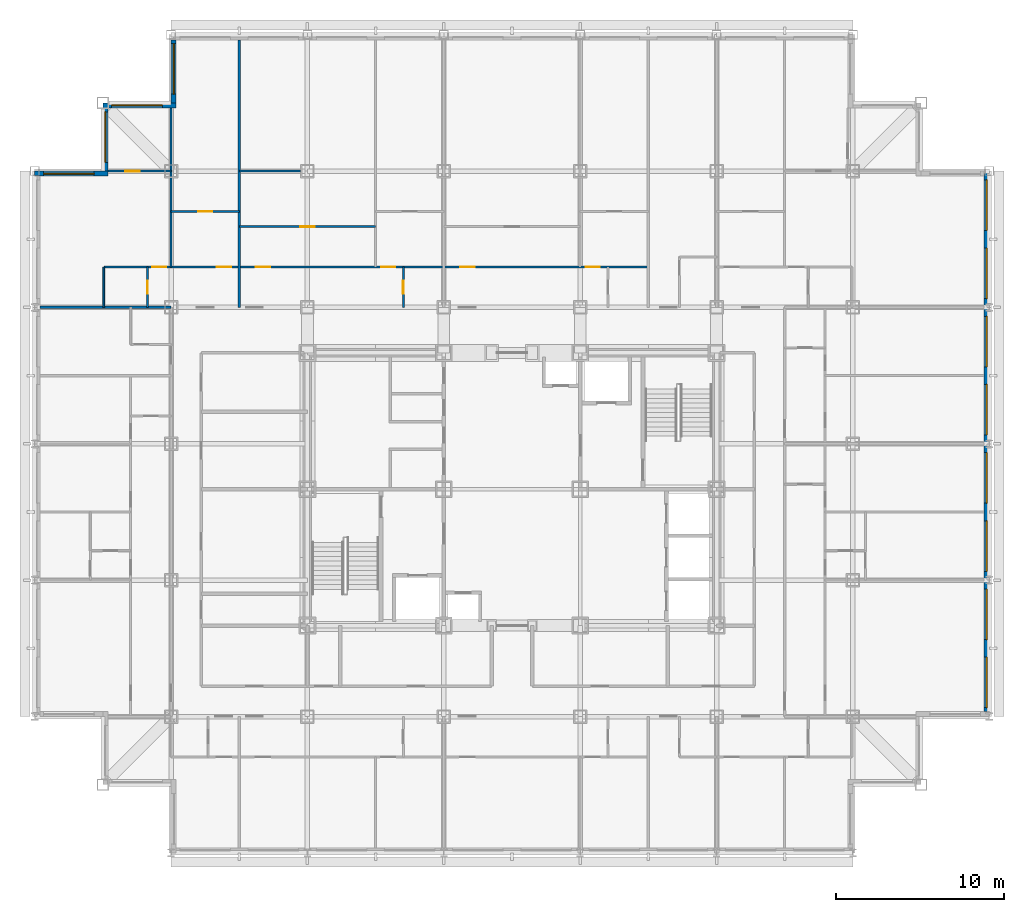
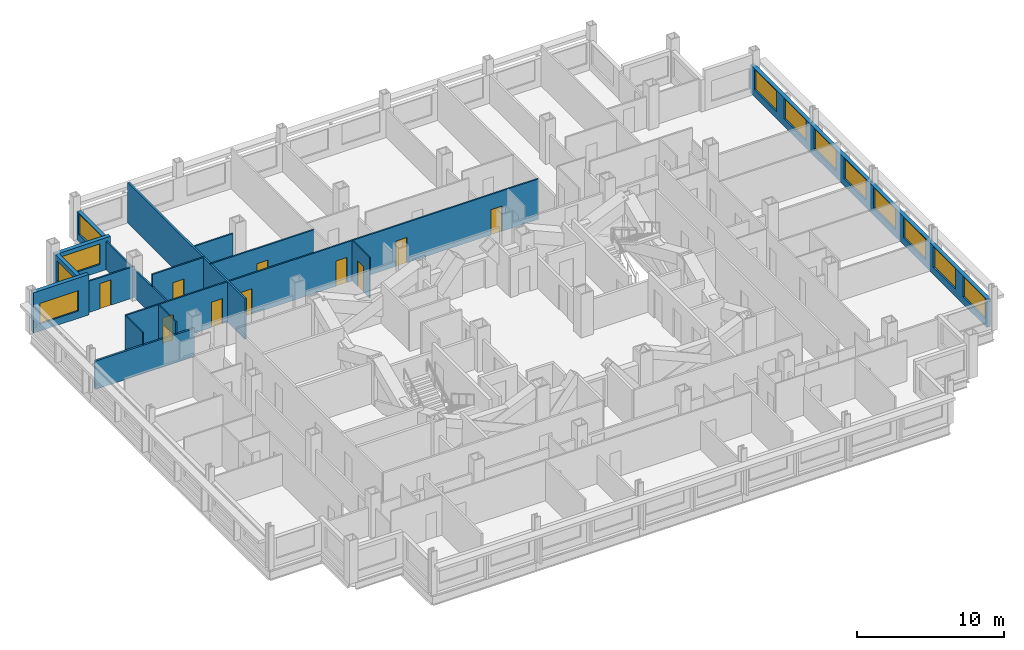
# One storey, part 9 of 12: 16 walls, 12 windows, 11 doors, 23 openings.
"""IFC4 building model written with IfcOpenShell, lengths in metres."""

from ifc_helpers import new_model, si_unit, direction, frame, frame_2d, origin, place, context, subcontext, project, spatial, rectangle, extrude, material, layer, layer_set, type_object, element, fill, save


model = new_model("IFC4")

# Units and contexts
model_context = context("Model", 3, precision=1e-05, world=origin(), true_north=direction((0.0, 1.0)))
body_context = subcontext(model_context, "Body", "Model", "MODEL_VIEW")
ifc_project = project(units=[si_unit("LENGTHUNIT", "METRE"), si_unit("AREAUNIT", "SQUARE_METRE"), si_unit("VOLUMEUNIT", "CUBIC_METRE"), si_unit("PLANEANGLEUNIT", "RADIAN"), si_unit("MASSUNIT", "GRAM", prefix="KILO")], contexts=[model_context])

# Site, building, storey
site_placement = place(None, origin())
site = spatial("IfcSite", under=ifc_project, at=site_placement, CompositionType="ELEMENT")
building_placement = place(site_placement, origin())
building = spatial("IfcBuilding", under=site, at=building_placement, Name="Kopane Lantern Tower", CompositionType="ELEMENT")
storey_placement = place(building_placement, frame((0.0, 0.0, 231.60009765625)))
storey = spatial("IfcBuildingStorey", under=building, at=storey_placement, Name="L60", CompositionType="ELEMENT", Elevation=231.60009765625)

# Wall, openings, doors
ifc_material_1 = material(Name="Gypsum board on steel studs", Category="steel")
ifc_layer_1 = layer(ifc_material_1, 0.1201171875)
ifc_layer_set_1 = layer_set([ifc_layer_1], Name="APARTMENT INTERNAL WALL 120")
wall_type_1 = type_object("IfcWallType", Name="APARTMENT INTERNAL WALL 120", PredefinedType="PARTITIONING", material=ifc_layer_set_1)
wall_1_placement = place(storey_placement, frame((4.10009765625, 45.60009765625, 0.0), z_axis=(0.0, 0.0, 1.0), x_axis=(1.0, 0.0, 0.0)))
wall_1 = element("IfcWall", 1, at=wall_1_placement, inside=storey, type_object=wall_type_1, Name="Apartment Internal Wall 120 L60", PredefinedType="PARTITIONING", context=body_context, shape_type="SweptSolid", body=[
    extrude(rectangle(XDim=32.349853515625, YDim=0.1201171875, at=frame_2d((16.1748046875, 0.0))), origin(), (0.0, 0.0, 1.0), 3.349853515625),
])
opening_1_placement = place(wall_1_placement, frame((9.02490234375, 0.0, 0.0)))
opening_1 = element("IfcOpeningElement", 2, at=opening_1_placement, cuts=wall_1, Name="Opening L60-024", PredefinedType="OPENING", context=body_context, shape_type="SweptSolid", body=[
    extrude(rectangle(XDim=0.85009765625, YDim=2.10009765625, at=frame_2d((0.425048828125, 1.050048828125))), frame((0.0, 0.070068359375, 0.0), z_axis=(0.0, -1.0, 0.0), x_axis=(1.0, 0.0, 0.0)), (0.0, 0.0, 1.0), 0.14013671875),
])
opening_2_placement = place(wall_1_placement, frame((16.47509765625, 0.0, 0.0)))
opening_2 = element("IfcOpeningElement", 3, at=opening_2_placement, cuts=wall_1, Name="Opening L60-025", PredefinedType="OPENING", context=body_context, shape_type="SweptSolid", body=[
    extrude(rectangle(XDim=0.85009765625, YDim=2.10009765625, at=frame_2d((0.425048828125, 1.050048828125))), frame((0.0, 0.070068359375, 0.0), z_axis=(0.0, -1.0, 0.0), x_axis=(1.0, 0.0, 0.0)), (0.0, 0.0, 1.0), 0.14013671875),
])
opening_3_placement = place(wall_1_placement, frame((21.175048828125, 0.0, 0.0)))
opening_3 = element("IfcOpeningElement", 4, at=opening_3_placement, cuts=wall_1, Name="Opening L60-028", PredefinedType="OPENING", context=body_context, shape_type="SweptSolid", body=[
    extrude(rectangle(XDim=0.85009765625, YDim=2.10009765625, at=frame_2d((0.425048828125, 1.050048828125))), frame((0.0, 0.070068359375, 0.0), z_axis=(0.0, -1.0, 0.0), x_axis=(1.0, 0.0, 0.0)), (0.0, 0.0, 1.0), 0.14013671875),
])
opening_4_placement = place(wall_1_placement, frame((28.625, 0.0, 0.0)))
opening_4 = element("IfcOpeningElement", 5, at=opening_4_placement, cuts=wall_1, Name="Opening L60-029", PredefinedType="OPENING", context=body_context, shape_type="SweptSolid", body=[
    extrude(rectangle(XDim=0.85009765625, YDim=2.10009765625, at=frame_2d((0.425048828125, 1.050048828125))), frame((0.0, 0.070068359375, 0.0), z_axis=(0.0, -1.0, 0.0), x_axis=(1.0, 0.0, 0.0)), (0.0, 0.0, 1.0), 0.14013671875),
])
opening_5_placement = place(wall_1_placement, frame((6.72509765625, 0.0, 0.0)))
opening_5 = element("IfcOpeningElement", 6, at=opening_5_placement, cuts=wall_1, Name="Opening L60-064", PredefinedType="OPENING", context=body_context, shape_type="SweptSolid", body=[
    extrude(rectangle(XDim=0.85009765625, YDim=2.10009765625, at=frame_2d((0.425048828125, 1.050048828125))), frame((0.0, 0.070068359375, 0.0), z_axis=(0.0, -1.0, 0.0), x_axis=(1.0, 0.0, 0.0)), (0.0, 0.0, 1.0), 0.14013671875),
])
opening_6_placement = place(wall_1_placement, frame((2.875, 0.0, 0.0)))
opening_6 = element("IfcOpeningElement", 7, at=opening_6_placement, cuts=wall_1, Name="Opening L60-066", PredefinedType="OPENING", context=body_context, shape_type="SweptSolid", body=[
    extrude(rectangle(XDim=0.85009765625, YDim=2.10009765625, at=frame_2d((0.425048828125, 1.050048828125))), frame((0.0, 0.070068359375, 0.0), z_axis=(0.0, -1.0, 0.0), x_axis=(1.0, 0.0, 0.0)), (0.0, 0.0, 1.0), 0.14013671875),
])
ifc_material_2 = material(Name="Timber door set", Category="wood")
door_type_1 = type_object("IfcDoorType", Name="DOOR D4 850x2100", OperationType="SINGLE_SWING_LEFT", PredefinedType="DOOR", material=ifc_material_2)
door_1_placement = place(opening_1_placement, origin())
door_1 = element("IfcDoor", 8, at=door_1_placement, inside=storey, type_object=door_type_1, Name="Door L60-024", OperationType="SINGLE_SWING_LEFT", OverallHeight=2.10009765625, OverallWidth=0.85009765625, PredefinedType="DOOR", context=body_context, shape_type="SweptSolid", body=[
    extrude(rectangle(XDim=0.85009765625, YDim=2.10009765625, at=frame_2d((0.425048828125, 1.050048828125))), frame((0.0, 0.02490234375, 0.0), z_axis=(0.0, -1.0, 0.0), x_axis=(1.0, 0.0, 0.0)), (0.0, 0.0, 1.0), 0.050048828125),
])
fill(opening_1, door_1)
door_2_placement = place(opening_2_placement, origin())
door_2 = element("IfcDoor", 9, at=door_2_placement, inside=storey, type_object=door_type_1, Name="Door L60-025", OperationType="SINGLE_SWING_LEFT", OverallHeight=2.10009765625, OverallWidth=0.85009765625, PredefinedType="DOOR", context=body_context, shape_type="SweptSolid", body=[
    extrude(rectangle(XDim=0.85009765625, YDim=2.10009765625, at=frame_2d((0.425048828125, 1.050048828125))), frame((0.0, 0.02490234375, 0.0), z_axis=(0.0, -1.0, 0.0), x_axis=(1.0, 0.0, 0.0)), (0.0, 0.0, 1.0), 0.050048828125),
])
fill(opening_2, door_2)
door_3_placement = place(opening_3_placement, origin())
door_3 = element("IfcDoor", 10, at=door_3_placement, inside=storey, type_object=door_type_1, Name="Door L60-028", OperationType="SINGLE_SWING_LEFT", OverallHeight=2.10009765625, OverallWidth=0.85009765625, PredefinedType="DOOR", context=body_context, shape_type="SweptSolid", body=[
    extrude(rectangle(XDim=0.85009765625, YDim=2.10009765625, at=frame_2d((0.425048828125, 1.050048828125))), frame((0.0, 0.02490234375, 0.0), z_axis=(0.0, -1.0, 0.0), x_axis=(1.0, 0.0, 0.0)), (0.0, 0.0, 1.0), 0.050048828125),
])
fill(opening_3, door_3)
door_4_placement = place(opening_4_placement, origin())
door_4 = element("IfcDoor", 11, at=door_4_placement, inside=storey, type_object=door_type_1, Name="Door L60-029", OperationType="SINGLE_SWING_LEFT", OverallHeight=2.10009765625, OverallWidth=0.85009765625, PredefinedType="DOOR", context=body_context, shape_type="SweptSolid", body=[
    extrude(rectangle(XDim=0.85009765625, YDim=2.10009765625, at=frame_2d((0.425048828125, 1.050048828125))), frame((0.0, 0.02490234375, 0.0), z_axis=(0.0, -1.0, 0.0), x_axis=(1.0, 0.0, 0.0)), (0.0, 0.0, 1.0), 0.050048828125),
])
fill(opening_4, door_4)
door_5_placement = place(opening_5_placement, origin())
door_5 = element("IfcDoor", 12, at=door_5_placement, inside=storey, type_object=door_type_1, Name="Door L60-064", OperationType="SINGLE_SWING_LEFT", OverallHeight=2.10009765625, OverallWidth=0.85009765625, PredefinedType="DOOR", context=body_context, shape_type="SweptSolid", body=[
    extrude(rectangle(XDim=0.85009765625, YDim=2.10009765625, at=frame_2d((0.425048828125, 1.050048828125))), frame((0.0, 0.02490234375, 0.0), z_axis=(0.0, -1.0, 0.0), x_axis=(1.0, 0.0, 0.0)), (0.0, 0.0, 1.0), 0.050048828125),
])
fill(opening_5, door_5)
door_6_placement = place(opening_6_placement, origin())
door_6 = element("IfcDoor", 13, at=door_6_placement, inside=storey, type_object=door_type_1, Name="Door L60-066", OperationType="SINGLE_SWING_RIGHT", OverallHeight=2.10009765625, OverallWidth=0.85009765625, PredefinedType="DOOR", context=body_context, shape_type="SweptSolid", body=[
    extrude(rectangle(XDim=0.85009765625, YDim=2.10009765625, at=frame_2d((0.425048828125, 1.050048828125))), frame((0.0, 0.02490234375, 0.0), z_axis=(0.0, -1.0, 0.0), x_axis=(1.0, 0.0, 0.0)), (0.0, 0.0, 1.0), 0.050048828125),
])
fill(opening_6, door_6)

# Wall
wall_2_placement = place(storey_placement, frame((8.10009765625, 45.60009765625, 0.0), z_axis=(0.0, 0.0, 1.0), x_axis=(0.0, 1.0, 0.0)))
element("IfcWall", 14, at=wall_2_placement, inside=storey, type_object=wall_type_1, Name="Apartment Internal Wall 120 L60", PredefinedType="PARTITIONING", context=body_context, shape_type="SweptSolid", body=[
    extrude(rectangle(XDim=9.449951171875, YDim=0.1201171875, at=frame_2d((4.72509765625, 0.0))), origin(), (0.0, 0.0, 1.0), 2.349853515625),
])

# Wall, opening, door
wall_3_placement = place(storey_placement, frame((8.10009765625, 51.300048828125, 0.0), z_axis=(0.0, 0.0, 1.0), x_axis=(-1.0, 0.0, 0.0)))
wall_3 = element("IfcWall", 15, at=wall_3_placement, inside=storey, type_object=wall_type_1, Name="Apartment Internal Wall 120 L60", PredefinedType="PARTITIONING", context=body_context, shape_type="SweptSolid", body=[
    extrude(rectangle(XDim=3.75, YDim=0.1201171875, at=frame_2d((1.875, 0.0))), origin(), (0.0, 0.0, 1.0), 2.587646484375),
])
opening_7_placement = place(wall_3_placement, frame((1.875, 0.0, 0.0)))
opening_7 = element("IfcOpeningElement", 16, at=opening_7_placement, cuts=wall_3, Name="Opening L60-067", PredefinedType="OPENING", context=body_context, shape_type="SweptSolid", body=[
    extrude(rectangle(XDim=0.85009765625, YDim=2.10009765625, at=frame_2d((0.425048828125, 1.050048828125))), frame((0.0, 0.070068359375, 0.0), z_axis=(0.0, -1.0, 0.0), x_axis=(1.0, 0.0, 0.0)), (0.0, 0.0, 1.0), 0.14013671875),
])
door_7_placement = place(opening_7_placement, origin())
door_7 = element("IfcDoor", 17, at=door_7_placement, inside=storey, type_object=door_type_1, Name="Door L60-067", OperationType="SINGLE_SWING_LEFT", OverallHeight=2.10009765625, OverallWidth=0.85009765625, PredefinedType="DOOR", context=body_context, shape_type="SweptSolid", body=[
    extrude(rectangle(XDim=0.85009765625, YDim=2.10009765625, at=frame_2d((0.425048828125, 1.050048828125))), frame((0.0, 0.02490234375, 0.0), z_axis=(0.0, -1.0, 0.0), x_axis=(1.0, 0.0, 0.0)), (0.0, 0.0, 1.0), 0.050048828125),
])
fill(opening_7, door_7)

wall_4_placement = place(storey_placement, frame((12.14990234375, 48.0, 0.0), z_axis=(0.0, 0.0, 1.0), x_axis=(1.0, 0.0, 0.0)))
wall_4 = element("IfcWall", 18, at=wall_4_placement, inside=storey, type_object=wall_type_1, Name="Apartment Internal Wall 120 L60", PredefinedType="PARTITIONING", context=body_context, shape_type="SweptSolid", body=[
    extrude(rectangle(XDim=8.10009765625, YDim=0.1201171875, at=frame_2d((4.050048828125, 0.0))), origin(), (0.0, 0.0, 1.0), 3.349853515625),
])
opening_8_placement = place(wall_4_placement, frame((3.625, 0.0, 0.0)))
opening_8 = element("IfcOpeningElement", 19, at=opening_8_placement, cuts=wall_4, Name="Opening L60-071", PredefinedType="OPENING", context=body_context, shape_type="SweptSolid", body=[
    extrude(rectangle(XDim=0.85009765625, YDim=2.10009765625, at=frame_2d((0.425048828125, 1.050048828125))), frame((0.0, 0.070068359375, 0.0), z_axis=(0.0, -1.0, 0.0), x_axis=(1.0, 0.0, 0.0)), (0.0, 0.0, 1.0), 0.14013671875),
])
door_8_placement = place(opening_8_placement, origin())
door_8 = element("IfcDoor", 20, at=door_8_placement, inside=storey, type_object=door_type_1, Name="Door L60-071", OperationType="SINGLE_SWING_RIGHT", OverallHeight=2.10009765625, OverallWidth=0.85009765625, PredefinedType="DOOR", context=body_context, shape_type="SweptSolid", body=[
    extrude(rectangle(XDim=0.85009765625, YDim=2.10009765625, at=frame_2d((0.425048828125, 1.050048828125))), frame((0.0, 0.02490234375, 0.0), z_axis=(0.0, -1.0, 0.0), x_axis=(1.0, 0.0, 0.0)), (0.0, 0.0, 1.0), 0.050048828125),
])
fill(opening_8, door_8)

wall_5_placement = place(storey_placement, frame((8.10009765625, 48.89990234375, 0.0), z_axis=(0.0, 0.0, 1.0), x_axis=(1.0, 0.0, 0.0)))
wall_5 = element("IfcWall", 21, at=wall_5_placement, inside=storey, type_object=wall_type_1, Name="Apartment Internal Wall 120 L60", PredefinedType="PARTITIONING", context=body_context, shape_type="SweptSolid", body=[
    extrude(rectangle(XDim=4.0498046875, YDim=0.1201171875, at=frame_2d((2.02490234375, 0.0))), origin(), (0.0, 0.0, 1.0), 3.349853515625),
])
opening_9_placement = place(wall_5_placement, frame((1.60009765625, 0.0, 0.0)))
opening_9 = element("IfcOpeningElement", 22, at=opening_9_placement, cuts=wall_5, Name="Opening L60-076", PredefinedType="OPENING", context=body_context, shape_type="SweptSolid", body=[
    extrude(rectangle(XDim=0.85009765625, YDim=2.10009765625, at=frame_2d((0.425048828125, 1.050048828125))), frame((0.0, 0.070068359375, 0.0), z_axis=(0.0, -1.0, 0.0), x_axis=(1.0, 0.0, 0.0)), (0.0, 0.0, 1.0), 0.14013671875),
])
door_9_placement = place(opening_9_placement, origin())
door_9 = element("IfcDoor", 23, at=door_9_placement, inside=storey, type_object=door_type_1, Name="Door L60-076", OperationType="SINGLE_SWING_RIGHT", OverallHeight=2.10009765625, OverallWidth=0.85009765625, PredefinedType="DOOR", context=body_context, shape_type="SweptSolid", body=[
    extrude(rectangle(XDim=0.85009765625, YDim=2.10009765625, at=frame_2d((0.425048828125, 1.050048828125))), frame((0.0, 0.02490234375, 0.0), z_axis=(0.0, -1.0, 0.0), x_axis=(1.0, 0.0, 0.0)), (0.0, 0.0, 1.0), 0.050048828125),
])
fill(opening_9, door_9)

# Wall
wall_6_placement = place(storey_placement, frame((12.14990234375, 51.300048828125, 0.0), z_axis=(0.0, 0.0, 1.0), x_axis=(1.0, 0.0, 0.0)))
element("IfcWall", 24, at=wall_6_placement, inside=storey, type_object=wall_type_1, Name="Apartment Internal Wall 120 L60", PredefinedType="PARTITIONING", context=body_context, shape_type="SweptSolid", body=[
    extrude(rectangle(XDim=3.650146484375, YDim=0.1201171875, at=frame_2d((1.8251953125, 0.0))), origin(), (0.0, 0.0, 1.0), 2.587646484375),
])

# Wall, opening, door
ifc_material_3 = material(Name="Moisture-resistant board on steel studs", Category="steel")
ifc_layer_2 = layer(ifc_material_3, 0.10009765625)
ifc_layer_set_2 = layer_set([ifc_layer_2], Name="BATHROOM WALL 100")
wall_type_2 = type_object("IfcWallType", Name="BATHROOM WALL 100", PredefinedType="PARTITIONING", material=ifc_layer_set_2)
wall_7_placement = place(storey_placement, frame((21.89990234375, 43.199951171875, 0.0), z_axis=(0.0, 0.0, 1.0), x_axis=(0.0, 1.0, 0.0)))
wall_7 = element("IfcWall", 25, at=wall_7_placement, inside=storey, type_object=wall_type_2, Name="Bathroom Wall 100 L60", PredefinedType="PARTITIONING", context=body_context, shape_type="SweptSolid", body=[
    extrude(rectangle(XDim=2.400146484375, YDim=0.10009765625, at=frame_2d((1.2001953125, 0.0))), origin(), (0.0, 0.0, 1.0), 3.349853515625),
])
opening_10_placement = place(wall_7_placement, frame((0.800048828125, 0.0, 0.0)))
opening_10 = element("IfcOpeningElement", 26, at=opening_10_placement, cuts=wall_7, Name="Opening L60-022", PredefinedType="OPENING", context=body_context, shape_type="SweptSolid", body=[
    extrude(rectangle(XDim=0.800048828125, YDim=2.10009765625, at=frame_2d((0.39990234375, 1.050048828125))), frame((0.0, 0.06005859375, 0.0), z_axis=(0.0, -1.0, 0.0), x_axis=(1.0, 0.0, 0.0)), (0.0, 0.0, 1.0), 0.1201171875),
])
ifc_material_4 = material(Name="Timber door set", Category="wood")
door_type_2 = type_object("IfcDoorType", Name="DOOR D2 800x2100", OperationType="SINGLE_SWING_LEFT", PredefinedType="DOOR", material=ifc_material_4)
door_10_placement = place(opening_10_placement, origin())
door_10 = element("IfcDoor", 27, at=door_10_placement, inside=storey, type_object=door_type_2, Name="Door L60-022", OperationType="SINGLE_SWING_RIGHT", OverallHeight=2.10009765625, OverallWidth=0.800048828125, PredefinedType="DOOR", context=body_context, shape_type="SweptSolid", body=[
    extrude(rectangle(XDim=0.800048828125, YDim=2.10009765625, at=frame_2d((0.39990234375, 1.050048828125))), frame((0.0, 0.02490234375, 0.0), z_axis=(0.0, -1.0, 0.0), x_axis=(1.0, 0.0, 0.0)), (0.0, 0.0, 1.0), 0.050048828125),
])
fill(opening_10, door_10)

wall_8_placement = place(storey_placement, frame((6.699951171875, 43.199951171875, 0.0), z_axis=(0.0, 0.0, 1.0), x_axis=(0.0, 1.0, 0.0)))
wall_8 = element("IfcWall", 28, at=wall_8_placement, inside=storey, type_object=wall_type_2, Name="Bathroom Wall 100 L60", PredefinedType="PARTITIONING", context=body_context, shape_type="SweptSolid", body=[
    extrude(rectangle(XDim=2.400146484375, YDim=0.10009765625, at=frame_2d((1.2001953125, 0.0))), origin(), (0.0, 0.0, 1.0), 3.349853515625),
])
opening_11_placement = place(wall_8_placement, frame((0.800048828125, 0.0, 0.0)))
opening_11 = element("IfcOpeningElement", 29, at=opening_11_placement, cuts=wall_8, Name="Opening L60-065", PredefinedType="OPENING", context=body_context, shape_type="SweptSolid", body=[
    extrude(rectangle(XDim=0.800048828125, YDim=2.10009765625, at=frame_2d((0.39990234375, 1.050048828125))), frame((0.0, 0.06005859375, 0.0), z_axis=(0.0, -1.0, 0.0), x_axis=(1.0, 0.0, 0.0)), (0.0, 0.0, 1.0), 0.1201171875),
])
door_11_placement = place(opening_11_placement, origin())
door_11 = element("IfcDoor", 30, at=door_11_placement, inside=storey, type_object=door_type_2, Name="Door L60-065", OperationType="SINGLE_SWING_LEFT", OverallHeight=2.10009765625, OverallWidth=0.800048828125, PredefinedType="DOOR", context=body_context, shape_type="SweptSolid", body=[
    extrude(rectangle(XDim=0.800048828125, YDim=2.10009765625, at=frame_2d((0.39990234375, 1.050048828125))), frame((0.0, 0.02490234375, 0.0), z_axis=(0.0, -1.0, 0.0), x_axis=(1.0, 0.0, 0.0)), (0.0, 0.0, 1.0), 0.050048828125),
])
fill(opening_11, door_11)

# Walls
wall_9_placement = place(storey_placement, frame((4.10009765625, 43.199951171875, 0.0), z_axis=(0.0, 0.0, 1.0), x_axis=(0.0, 1.0, 0.0)))
element("IfcWall", 31, at=wall_9_placement, inside=storey, type_object=wall_type_2, Name="Bathroom Wall 100 L60", PredefinedType="PARTITIONING", context=body_context, shape_type="SweptSolid", body=[
    extrude(rectangle(XDim=2.400146484375, YDim=0.10009765625, at=frame_2d((1.2001953125, 0.0))), origin(), (0.0, 0.0, 1.0), 3.349853515625),
])
ifc_material_5 = material(Name="Gypsum board on steel studs", Category="steel")
ifc_layer_3 = layer(ifc_material_5, 0.14990234375)
ifc_layer_set_3 = layer_set([ifc_layer_3], Name="DEMISING WALL 150 EI 60")
wall_type_3 = type_object("IfcWallType", Name="DEMISING WALL 150 EI 60", PredefinedType="PARTITIONING", material=ifc_layer_set_3)
wall_10_placement = place(storey_placement, frame((0.300048828125, 43.199951171875, 0.0), z_axis=(0.0, 0.0, 1.0), x_axis=(1.0, 0.0, 0.0)))
element("IfcWall", 32, at=wall_10_placement, inside=storey, type_object=wall_type_3, Name="Demising Wall 150 Ei 60 L60", PredefinedType="PARTITIONING", context=body_context, shape_type="SweptSolid", body=[
    extrude(rectangle(XDim=7.800048828125, YDim=0.14990234375, at=frame_2d((3.89990234375, 0.0))), origin(), (0.0, 0.0, 1.0), 2.349853515625),
])
wall_11_placement = place(storey_placement, frame((12.14990234375, 43.199951171875, 0.0), z_axis=(0.0, 0.0, 1.0), x_axis=(0.0, 1.0, 0.0)))
element("IfcWall", 33, at=wall_11_placement, inside=storey, type_object=wall_type_3, Name="Demising Wall 150 Ei 60 L60", PredefinedType="PARTITIONING", context=body_context, shape_type="SweptSolid", body=[
    extrude(rectangle(XDim=15.900146484375, YDim=0.14990234375, at=frame_2d((7.9501953125, 0.0))), origin(), (0.0, 0.0, 1.0), 3.349853515625),
])

# Wall, openings, windows
ifc_material_6 = material(Name="Terracotta rainscreen on light steel framing", Category="masonry")
ifc_layer_4 = layer(ifc_material_6, 0.300048828125)
ifc_layer_set_4 = layer_set([ifc_layer_4], Name="EXTERNAL WALL EW1 300 TERRACOTTA")
wall_type_4 = type_object("IfcWallType", Name="EXTERNAL WALL EW1 300 TERRACOTTA", PredefinedType="SOLIDWALL", material=ifc_layer_set_4)
wall_12_placement = place(storey_placement, frame((56.550048828125, 19.199951171875, 0.0), z_axis=(0.0, 0.0, 1.0), x_axis=(0.0, 1.0, 0.0)))
wall_12 = element("IfcWall", 34, at=wall_12_placement, inside=storey, type_object=wall_type_4, Name="External wall E L60", PredefinedType="SOLIDWALL", context=body_context, shape_type="SweptSolid", body=[
    extrude(rectangle(XDim=32.10009765625, YDim=0.300048828125, at=frame_2d((16.050048828125, 0.0))), origin(), (0.0, 0.0, 1.0), 2.349853515625),
])
opening_12_placement = place(wall_12_placement, frame((0.22509765625, 0.0, 0.60009765625)))
opening_12 = element("IfcOpeningElement", 35, at=opening_12_placement, cuts=wall_12, Name="Opening WR300170", PredefinedType="OPENING", context=body_context, shape_type="SweptSolid", body=[
    extrude(rectangle(XDim=3.0, YDim=1.699951171875, at=frame_2d((1.5, 0.85009765625))), frame((0.0, 0.159912109375, 0.0), z_axis=(0.0, -1.0, 0.0), x_axis=(1.0, 0.0, 0.0)), (0.0, 0.0, 1.0), 0.320068359375),
])
opening_13_placement = place(wall_12_placement, frame((4.27490234375, 0.0, 0.60009765625)))
opening_13 = element("IfcOpeningElement", 36, at=opening_13_placement, cuts=wall_12, Name="Opening WR300170", PredefinedType="OPENING", context=body_context, shape_type="SweptSolid", body=[
    extrude(rectangle(XDim=3.0, YDim=1.699951171875, at=frame_2d((1.5, 0.85009765625))), frame((0.0, 0.159912109375, 0.0), z_axis=(0.0, -1.0, 0.0), x_axis=(1.0, 0.0, 0.0)), (0.0, 0.0, 1.0), 0.320068359375),
])
opening_14_placement = place(wall_12_placement, frame((8.324951171875, 0.0, 0.60009765625)))
opening_14 = element("IfcOpeningElement", 37, at=opening_14_placement, cuts=wall_12, Name="Opening WR300170", PredefinedType="OPENING", context=body_context, shape_type="SweptSolid", body=[
    extrude(rectangle(XDim=3.0, YDim=1.699951171875, at=frame_2d((1.5, 0.85009765625))), frame((0.0, 0.159912109375, 0.0), z_axis=(0.0, -1.0, 0.0), x_axis=(1.0, 0.0, 0.0)), (0.0, 0.0, 1.0), 0.320068359375),
])
opening_15_placement = place(wall_12_placement, frame((12.375, 0.0, 0.60009765625)))
opening_15 = element("IfcOpeningElement", 38, at=opening_15_placement, cuts=wall_12, Name="Opening WR300170", PredefinedType="OPENING", context=body_context, shape_type="SweptSolid", body=[
    extrude(rectangle(XDim=3.0, YDim=1.699951171875, at=frame_2d((1.5, 0.85009765625))), frame((0.0, 0.159912109375, 0.0), z_axis=(0.0, -1.0, 0.0), x_axis=(1.0, 0.0, 0.0)), (0.0, 0.0, 1.0), 0.320068359375),
])
opening_16_placement = place(wall_12_placement, frame((16.425048828125, 0.0, 0.60009765625)))
opening_16 = element("IfcOpeningElement", 39, at=opening_16_placement, cuts=wall_12, Name="Opening WR300170", PredefinedType="OPENING", context=body_context, shape_type="SweptSolid", body=[
    extrude(rectangle(XDim=3.0, YDim=1.699951171875, at=frame_2d((1.5, 0.85009765625))), frame((0.0, 0.159912109375, 0.0), z_axis=(0.0, -1.0, 0.0), x_axis=(1.0, 0.0, 0.0)), (0.0, 0.0, 1.0), 0.320068359375),
])
opening_17_placement = place(wall_12_placement, frame((20.47509765625, 0.0, 0.60009765625)))
opening_17 = element("IfcOpeningElement", 40, at=opening_17_placement, cuts=wall_12, Name="Opening WR300170", PredefinedType="OPENING", context=body_context, shape_type="SweptSolid", body=[
    extrude(rectangle(XDim=3.0, YDim=1.699951171875, at=frame_2d((1.5, 0.85009765625))), frame((0.0, 0.159912109375, 0.0), z_axis=(0.0, -1.0, 0.0), x_axis=(1.0, 0.0, 0.0)), (0.0, 0.0, 1.0), 0.320068359375),
])
opening_18_placement = place(wall_12_placement, frame((24.52490234375, 0.0, 0.60009765625)))
opening_18 = element("IfcOpeningElement", 41, at=opening_18_placement, cuts=wall_12, Name="Opening WR300170", PredefinedType="OPENING", context=body_context, shape_type="SweptSolid", body=[
    extrude(rectangle(XDim=3.0, YDim=1.699951171875, at=frame_2d((1.5, 0.85009765625))), frame((0.0, 0.159912109375, 0.0), z_axis=(0.0, -1.0, 0.0), x_axis=(1.0, 0.0, 0.0)), (0.0, 0.0, 1.0), 0.320068359375),
])
opening_19_placement = place(wall_12_placement, frame((28.574951171875, 0.0, 0.60009765625)))
opening_19 = element("IfcOpeningElement", 42, at=opening_19_placement, cuts=wall_12, Name="Opening WR300170", PredefinedType="OPENING", context=body_context, shape_type="SweptSolid", body=[
    extrude(rectangle(XDim=3.0, YDim=1.699951171875, at=frame_2d((1.5, 0.85009765625))), frame((0.0, 0.159912109375, 0.0), z_axis=(0.0, -1.0, 0.0), x_axis=(1.0, 0.0, 0.0)), (0.0, 0.0, 1.0), 0.320068359375),
])
ifc_material_7 = material(Name="Aluminium and clear glass", Category="aluminium")
window_type = type_object("IfcWindowType", Name="RIBBON WINDOW WR300170 3000x1700", PartitioningType="SINGLE_PANEL", PredefinedType="WINDOW", material=ifc_material_7)
window_1_placement = place(opening_12_placement, origin())
window_1 = element("IfcWindow", 43, at=window_1_placement, inside=storey, type_object=window_type, Name="Window E L60", OverallHeight=1.699951171875, OverallWidth=3.0, PartitioningType="SINGLE_PANEL", PredefinedType="WINDOW", context=body_context, shape_type="SweptSolid", body=[
    extrude(rectangle(XDim=3.0, YDim=1.699951171875, at=frame_2d((1.5, 0.85009765625))), frame((0.0, 0.030029296875, 0.0), z_axis=(0.0, -1.0, 0.0), x_axis=(1.0, 0.0, 0.0)), (0.0, 0.0, 1.0), 0.06005859375),
])
fill(opening_12, window_1)
window_2_placement = place(opening_13_placement, origin())
window_2 = element("IfcWindow", 44, at=window_2_placement, inside=storey, type_object=window_type, Name="Window E L60", OverallHeight=1.699951171875, OverallWidth=3.0, PartitioningType="SINGLE_PANEL", PredefinedType="WINDOW", context=body_context, shape_type="SweptSolid", body=[
    extrude(rectangle(XDim=3.0, YDim=1.699951171875, at=frame_2d((1.5, 0.85009765625))), frame((0.0, 0.030029296875, 0.0), z_axis=(0.0, -1.0, 0.0), x_axis=(1.0, 0.0, 0.0)), (0.0, 0.0, 1.0), 0.06005859375),
])
fill(opening_13, window_2)
window_3_placement = place(opening_14_placement, origin())
window_3 = element("IfcWindow", 45, at=window_3_placement, inside=storey, type_object=window_type, Name="Window E L60", OverallHeight=1.699951171875, OverallWidth=3.0, PartitioningType="SINGLE_PANEL", PredefinedType="WINDOW", context=body_context, shape_type="SweptSolid", body=[
    extrude(rectangle(XDim=3.0, YDim=1.699951171875, at=frame_2d((1.5, 0.85009765625))), frame((0.0, 0.030029296875, 0.0), z_axis=(0.0, -1.0, 0.0), x_axis=(1.0, 0.0, 0.0)), (0.0, 0.0, 1.0), 0.06005859375),
])
fill(opening_14, window_3)
window_4_placement = place(opening_15_placement, origin())
window_4 = element("IfcWindow", 46, at=window_4_placement, inside=storey, type_object=window_type, Name="Window E L60", OverallHeight=1.699951171875, OverallWidth=3.0, PartitioningType="SINGLE_PANEL", PredefinedType="WINDOW", context=body_context, shape_type="SweptSolid", body=[
    extrude(rectangle(XDim=3.0, YDim=1.699951171875, at=frame_2d((1.5, 0.85009765625))), frame((0.0, 0.030029296875, 0.0), z_axis=(0.0, -1.0, 0.0), x_axis=(1.0, 0.0, 0.0)), (0.0, 0.0, 1.0), 0.06005859375),
])
fill(opening_15, window_4)
window_5_placement = place(opening_16_placement, origin())
window_5 = element("IfcWindow", 47, at=window_5_placement, inside=storey, type_object=window_type, Name="Window E L60", OverallHeight=1.699951171875, OverallWidth=3.0, PartitioningType="SINGLE_PANEL", PredefinedType="WINDOW", context=body_context, shape_type="SweptSolid", body=[
    extrude(rectangle(XDim=3.0, YDim=1.699951171875, at=frame_2d((1.5, 0.85009765625))), frame((0.0, 0.030029296875, 0.0), z_axis=(0.0, -1.0, 0.0), x_axis=(1.0, 0.0, 0.0)), (0.0, 0.0, 1.0), 0.06005859375),
])
fill(opening_16, window_5)
window_6_placement = place(opening_17_placement, origin())
window_6 = element("IfcWindow", 48, at=window_6_placement, inside=storey, type_object=window_type, Name="Window E L60", OverallHeight=1.699951171875, OverallWidth=3.0, PartitioningType="SINGLE_PANEL", PredefinedType="WINDOW", context=body_context, shape_type="SweptSolid", body=[
    extrude(rectangle(XDim=3.0, YDim=1.699951171875, at=frame_2d((1.5, 0.85009765625))), frame((0.0, 0.030029296875, 0.0), z_axis=(0.0, -1.0, 0.0), x_axis=(1.0, 0.0, 0.0)), (0.0, 0.0, 1.0), 0.06005859375),
])
fill(opening_17, window_6)
window_7_placement = place(opening_18_placement, origin())
window_7 = element("IfcWindow", 49, at=window_7_placement, inside=storey, type_object=window_type, Name="Window E L60", OverallHeight=1.699951171875, OverallWidth=3.0, PartitioningType="SINGLE_PANEL", PredefinedType="WINDOW", context=body_context, shape_type="SweptSolid", body=[
    extrude(rectangle(XDim=3.0, YDim=1.699951171875, at=frame_2d((1.5, 0.85009765625))), frame((0.0, 0.030029296875, 0.0), z_axis=(0.0, -1.0, 0.0), x_axis=(1.0, 0.0, 0.0)), (0.0, 0.0, 1.0), 0.06005859375),
])
fill(opening_18, window_7)
window_8_placement = place(opening_19_placement, origin())
window_8 = element("IfcWindow", 50, at=window_8_placement, inside=storey, type_object=window_type, Name="Window E L60", OverallHeight=1.699951171875, OverallWidth=3.0, PartitioningType="SINGLE_PANEL", PredefinedType="WINDOW", context=body_context, shape_type="SweptSolid", body=[
    extrude(rectangle(XDim=3.0, YDim=1.699951171875, at=frame_2d((1.5, 0.85009765625))), frame((0.0, 0.030029296875, 0.0), z_axis=(0.0, -1.0, 0.0), x_axis=(1.0, 0.0, 0.0)), (0.0, 0.0, 1.0), 0.06005859375),
])
fill(opening_19, window_8)

# Wall, opening, window
wall_13_placement = place(storey_placement, frame((8.25, 59.10009765625, 0.0), z_axis=(0.0, 0.0, 1.0), x_axis=(0.0, -1.0, 0.0)))
wall_13 = element("IfcWall", 51, at=wall_13_placement, inside=storey, type_object=wall_type_4, Name="External wall W L60", PredefinedType="SOLIDWALL", context=body_context, shape_type="SweptSolid", body=[
    extrude(rectangle(XDim=3.75, YDim=0.300048828125, at=frame_2d((1.875, 0.0))), origin(), (0.0, 0.0, 1.0), 2.349853515625),
])
opening_20_placement = place(wall_13_placement, frame((0.22509765625, 0.0, 0.60009765625)))
opening_20 = element("IfcOpeningElement", 52, at=opening_20_placement, cuts=wall_13, Name="Opening WR300170", PredefinedType="OPENING", context=body_context, shape_type="SweptSolid", body=[
    extrude(rectangle(XDim=3.0, YDim=1.699951171875, at=frame_2d((1.5, 0.85009765625))), frame((0.0, 0.159912109375, 0.0), z_axis=(0.0, -1.0, 0.0), x_axis=(1.0, 0.0, 0.0)), (0.0, 0.0, 1.0), 0.320068359375),
])
window_9_placement = place(opening_20_placement, origin())
window_9 = element("IfcWindow", 53, at=window_9_placement, inside=storey, type_object=window_type, Name="Window W L60", OverallHeight=1.699951171875, OverallWidth=3.0, PartitioningType="SINGLE_PANEL", PredefinedType="WINDOW", context=body_context, shape_type="SweptSolid", body=[
    extrude(rectangle(XDim=3.0, YDim=1.699951171875, at=frame_2d((1.5, 0.85009765625))), frame((0.0, 0.030029296875, 0.0), z_axis=(0.0, -1.0, 0.0), x_axis=(1.0, 0.0, 0.0)), (0.0, 0.0, 1.0), 0.06005859375),
])
fill(opening_20, window_9)

wall_14_placement = place(storey_placement, frame((8.39990234375, 55.199951171875, 0.0), z_axis=(0.0, 0.0, 1.0), x_axis=(-1.0, 0.0, 0.0)))
wall_14 = element("IfcWall", 54, at=wall_14_placement, inside=storey, type_object=wall_type_4, Name="External wall N L60", PredefinedType="SOLIDWALL", context=body_context, shape_type="SweptSolid", body=[
    extrude(rectangle(XDim=4.349853515625, YDim=0.300048828125, at=frame_2d((2.1748046875, 0.0))), origin(), (0.0, 0.0, 1.0), 2.64990234375),
])
opening_21_placement = place(wall_14_placement, frame((0.824951171875, 0.0, 0.60009765625)))
opening_21 = element("IfcOpeningElement", 55, at=opening_21_placement, cuts=wall_14, Name="Opening WR300170", PredefinedType="OPENING", context=body_context, shape_type="SweptSolid", body=[
    extrude(rectangle(XDim=3.0, YDim=1.699951171875, at=frame_2d((1.5, 0.85009765625))), frame((0.0, 0.159912109375, 0.0), z_axis=(0.0, -1.0, 0.0), x_axis=(1.0, 0.0, 0.0)), (0.0, 0.0, 1.0), 0.320068359375),
])
window_10_placement = place(opening_21_placement, origin())
window_10 = element("IfcWindow", 56, at=window_10_placement, inside=storey, type_object=window_type, Name="Window N L60", OverallHeight=1.699951171875, OverallWidth=3.0, PartitioningType="SINGLE_PANEL", PredefinedType="WINDOW", context=body_context, shape_type="SweptSolid", body=[
    extrude(rectangle(XDim=3.0, YDim=1.699951171875, at=frame_2d((1.5, 0.85009765625))), frame((0.0, 0.030029296875, 0.0), z_axis=(0.0, -1.0, 0.0), x_axis=(1.0, 0.0, 0.0)), (0.0, 0.0, 1.0), 0.06005859375),
])
fill(opening_21, window_10)

wall_15_placement = place(storey_placement, frame((4.199951171875, 55.050048828125, 0.0), z_axis=(0.0, 0.0, 1.0), x_axis=(0.0, -1.0, 0.0)))
wall_15 = element("IfcWall", 57, at=wall_15_placement, inside=storey, type_object=wall_type_4, Name="External wall W L60", PredefinedType="SOLIDWALL", context=body_context, shape_type="SweptSolid", body=[
    extrude(rectangle(XDim=3.75, YDim=0.300048828125, at=frame_2d((1.875, 0.0))), origin(), (0.0, 0.0, 1.0), 2.64990234375),
])
opening_22_placement = place(wall_15_placement, frame((0.22509765625, 0.0, 0.60009765625)))
opening_22 = element("IfcOpeningElement", 58, at=opening_22_placement, cuts=wall_15, Name="Opening WR300170", PredefinedType="OPENING", context=body_context, shape_type="SweptSolid", body=[
    extrude(rectangle(XDim=3.0, YDim=1.699951171875, at=frame_2d((1.5, 0.85009765625))), frame((0.0, 0.159912109375, 0.0), z_axis=(0.0, -1.0, 0.0), x_axis=(1.0, 0.0, 0.0)), (0.0, 0.0, 1.0), 0.320068359375),
])
window_11_placement = place(opening_22_placement, origin())
window_11 = element("IfcWindow", 59, at=window_11_placement, inside=storey, type_object=window_type, Name="Window W L60", OverallHeight=1.699951171875, OverallWidth=3.0, PartitioningType="SINGLE_PANEL", PredefinedType="WINDOW", context=body_context, shape_type="SweptSolid", body=[
    extrude(rectangle(XDim=3.0, YDim=1.699951171875, at=frame_2d((1.5, 0.85009765625))), frame((0.0, 0.030029296875, 0.0), z_axis=(0.0, -1.0, 0.0), x_axis=(1.0, 0.0, 0.0)), (0.0, 0.0, 1.0), 0.06005859375),
])
fill(opening_22, window_11)

wall_16_placement = place(storey_placement, frame((4.35009765625, 51.14990234375, 0.0), z_axis=(0.0, 0.0, 1.0), x_axis=(-1.0, 0.0, 0.0)))
wall_16 = element("IfcWall", 60, at=wall_16_placement, inside=storey, type_object=wall_type_4, Name="External wall N L60", PredefinedType="SOLIDWALL", context=body_context, shape_type="SweptSolid", body=[
    extrude(rectangle(XDim=4.35009765625, YDim=0.300048828125, at=frame_2d((2.175048828125, 0.0))), origin(), (0.0, 0.0, 1.0), 3.349853515625),
])
opening_23_placement = place(wall_16_placement, frame((0.824951171875, 0.0, 0.60009765625)))
opening_23 = element("IfcOpeningElement", 61, at=opening_23_placement, cuts=wall_16, Name="Opening WR300170", PredefinedType="OPENING", context=body_context, shape_type="SweptSolid", body=[
    extrude(rectangle(XDim=3.0, YDim=1.699951171875, at=frame_2d((1.5, 0.85009765625))), frame((0.0, 0.159912109375, 0.0), z_axis=(0.0, -1.0, 0.0), x_axis=(1.0, 0.0, 0.0)), (0.0, 0.0, 1.0), 0.320068359375),
])
window_12_placement = place(opening_23_placement, origin())
window_12 = element("IfcWindow", 62, at=window_12_placement, inside=storey, type_object=window_type, Name="Window N L60", OverallHeight=1.699951171875, OverallWidth=3.0, PartitioningType="SINGLE_PANEL", PredefinedType="WINDOW", context=body_context, shape_type="SweptSolid", body=[
    extrude(rectangle(XDim=3.0, YDim=1.699951171875, at=frame_2d((1.5, 0.85009765625))), frame((0.0, 0.030029296875, 0.0), z_axis=(0.0, -1.0, 0.0), x_axis=(1.0, 0.0, 0.0)), (0.0, 0.0, 1.0), 0.06005859375),
])
fill(opening_23, window_12)

save(model, "model.ifc")
